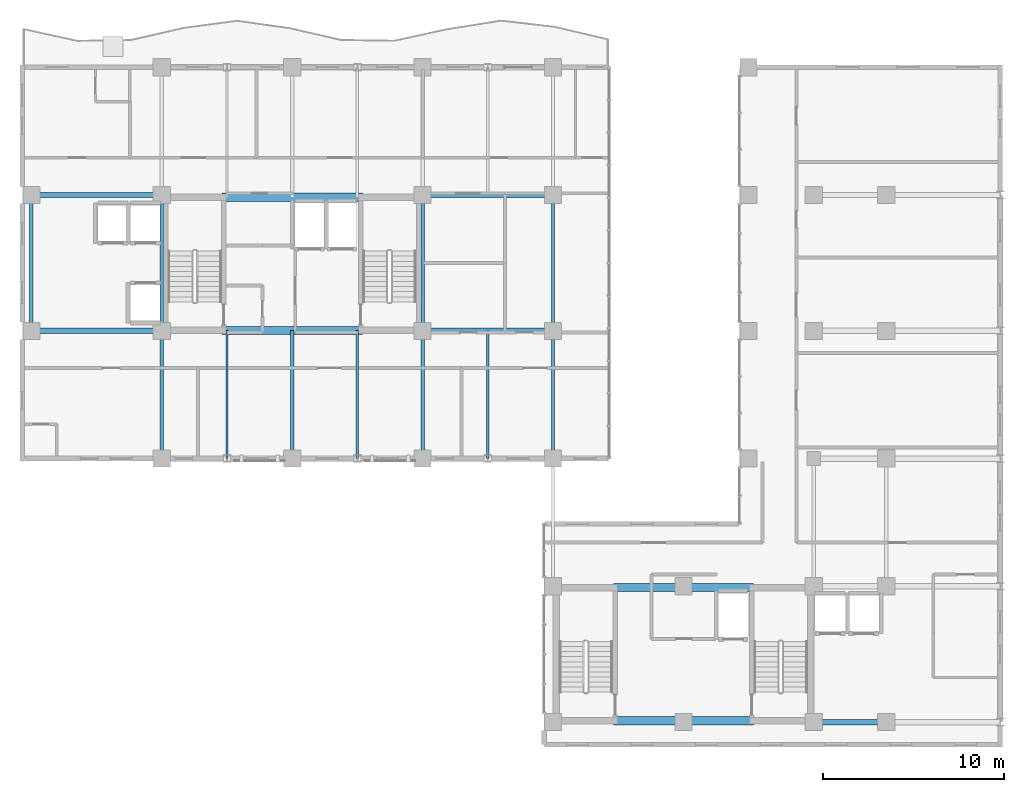
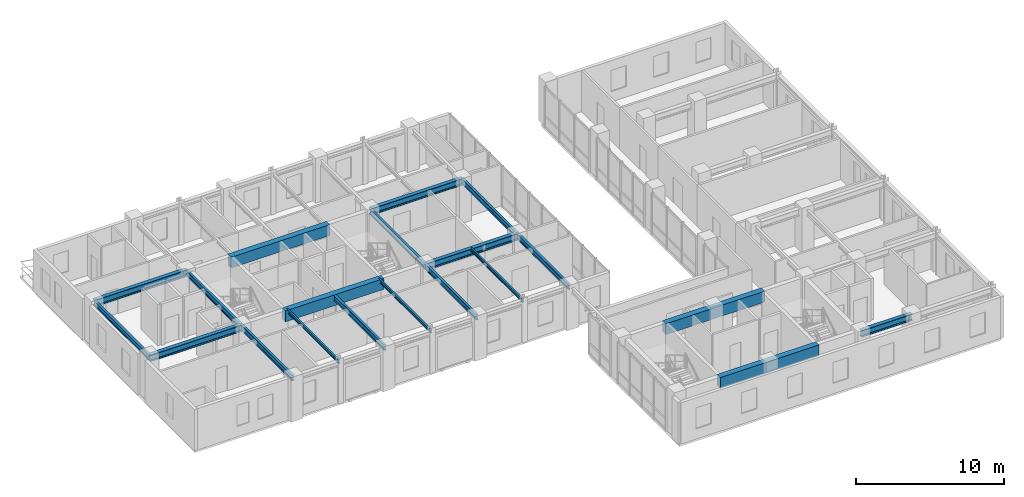
# One storey, part 6 of 24: 20 beams.
"""IFC4 building model written with IfcOpenShell, lengths in metres."""

import ifcopenshell
import ifcopenshell.guid

model = None  # the IFC model being written
_history = None  # IfcOwnerHistory: only IFC2X3 demands one
_inside = {}  # id of a spatial element -> (the spatial element, [elements in it])
_under = {}  # id of a project, library or spatial element -> (it, [spatial elements below it])
_declared = {}  # id of a project -> (the project, [libraries it declares])
_typed = {}  # id of a type object -> (the type object, [elements of that type])
_made_of = {}  # id of a material, layer set ... -> (it, [elements and type objects made of it])


def new_model(schema):
    """Start an empty IFC model of exactly this schema.

    Asked for "IFC4X3", IfcOpenShell would pick the latest addendum, in which some entities
    have other attributes; the version numbers below select the first issue.
    IFC2X3 requires an IfcOwnerHistory on every rooted entity: one is made here for all.
    """
    global model, _history
    if schema == "IFC4X3":
        model = ifcopenshell.file(schema_version=(4, 3, 0, 0))
    else:
        model = ifcopenshell.file(schema=schema)
    _inside.clear()
    _under.clear()
    _declared.clear()
    _typed.clear()
    _made_of.clear()
    _history = None
    if model.schema == "IFC2X3":
        org = make("IfcOrganization", Name="unknown")
        user = make(
            "IfcPersonAndOrganization",
            ThePerson=make("IfcPerson", FamilyName="unknown"),
            TheOrganization=org,
        )
        app = make(
            "IfcApplication",
            ApplicationDeveloper=org,
            Version="unknown",
            ApplicationFullName="unknown",
            ApplicationIdentifier="unknown",
        )
        _history = make(
            "IfcOwnerHistory",
            OwningUser=user,
            OwningApplication=app,
            ChangeAction="ADDED",
            CreationDate=0,
        )
    return model


def make(cls, **values):
    """One entity of the class cls with the attributes given. An attribute that is None is left unset."""
    return model.create_entity(
        cls, **{name: value for name, value in values.items() if value is not None}
    )


def rooted(cls, **values):
    """An entity with a GlobalId (a new one), such as an element, a storey or a relation."""
    return make(cls, GlobalId=ifcopenshell.guid.new(), OwnerHistory=_history, **values)


def si_unit(unit_type, name, prefix=None):
    """IfcSIUnit, for example si_unit("LENGTHUNIT", "METRE", prefix="MILLI")."""
    return make("IfcSIUnit", UnitType=unit_type, Prefix=prefix, Name=name)


def assignment(units):
    """IfcUnitAssignment: the units of a project."""
    return None if units is None else make("IfcUnitAssignment", Units=units)


def point(xyz):
    """IfcCartesianPoint."""
    return None if xyz is None else make("IfcCartesianPoint", Coordinates=xyz)


def direction(xyz):
    """IfcDirection."""
    return None if xyz is None else make("IfcDirection", DirectionRatios=xyz)


def frame(location, z_axis=None, x_axis=None):
    """IfcAxis2Placement3D, a coordinate frame: its origin and axes. An axis left out is left unset."""
    return make(
        "IfcAxis2Placement3D",
        Location=point(location),
        Axis=direction(z_axis),
        RefDirection=direction(x_axis),
    )


def frame_2d(location, x_axis=None):
    """IfcAxis2Placement2D, a coordinate frame in the plane: its origin and x axis."""
    return make(
        "IfcAxis2Placement2D", Location=point(location), RefDirection=direction(x_axis)
    )


def origin():
    """The frame at (0, 0, 0) with its axes left unset."""
    return frame((0.0, 0.0, 0.0))


def origin_2d():
    """The frame at (0, 0) in the plane with its x axis left unset."""
    return frame_2d((0.0, 0.0))


def place(relative_to, where):
    """IfcLocalPlacement: puts the frame where relative to a parent placement (None: the world)."""
    return make(
        "IfcLocalPlacement", PlacementRelTo=relative_to, RelativePlacement=where
    )


def context(
    kind, dimensions, precision=None, world=None, true_north=None, identifier=None
):
    """IfcGeometricRepresentationContext, for example the 3D "Model" context."""
    return make(
        "IfcGeometricRepresentationContext",
        ContextIdentifier=identifier,
        ContextType=kind,
        CoordinateSpaceDimension=dimensions,
        Precision=precision,
        WorldCoordinateSystem=world,
        TrueNorth=true_north,
    )


def subcontext(parent, identifier, kind, view, scale=None):
    """IfcGeometricRepresentationSubContext, for example "Body" below "Model"."""
    return make(
        "IfcGeometricRepresentationSubContext",
        ContextIdentifier=identifier,
        ContextType=kind,
        ParentContext=parent,
        TargetScale=scale,
        TargetView=view,
    )


def project(units=None, contexts=None):
    """IfcProject with its units and contexts."""
    return rooted(
        "IfcProject",
        Name="project",
        RepresentationContexts=contexts,
        UnitsInContext=assignment(units),
    )


def spatial(cls, under=None, at=None, **own):
    """A site, building, storey or space (cls), placed at a placement, below another one or the project."""
    s = rooted(cls, ObjectPlacement=at, **own)
    if under is not None:
        _under.setdefault(under.id(), (under, []))[1].append(s)
    return s


def profile(cls, at=None, kind="AREA", **sizes):
    """A parametric profile (cls). Its sizes go by their IFC names, for example OverallWidth=200.0."""
    return make(cls, ProfileType=kind, Position=at, **sizes)


def rectangle(**sizes):
    """IfcRectangleProfileDef."""
    return profile("IfcRectangleProfileDef", **sizes)


def i_section(**sizes):
    """IfcIShapeProfileDef."""
    return profile("IfcIShapeProfileDef", **sizes)


def extrude(swept, where, along, depth):
    """IfcExtrudedAreaSolid: the profile swept, set in the frame where, extruded along a direction by depth."""
    return make(
        "IfcExtrudedAreaSolid",
        SweptArea=swept,
        Position=where,
        ExtrudedDirection=direction(along),
        Depth=depth,
    )


def shape(context_of_items, identifier, shape_type, items):
    """IfcShapeRepresentation: the items that make up one representation, for example the "Body"."""
    return make(
        "IfcShapeRepresentation",
        ContextOfItems=context_of_items,
        RepresentationIdentifier=identifier,
        RepresentationType=shape_type,
        Items=items,
    )


def source(mapping_origin, context_of_items, identifier, shape_type, items):
    """IfcRepresentationMap: a shape defined once, which mapped items show again and again."""
    return make(
        "IfcRepresentationMap",
        MappingOrigin=mapping_origin,
        MappedRepresentation=shape(context_of_items, identifier, shape_type, items),
    )


def transform(
    local_origin,
    x_axis=None,
    y_axis=None,
    z_axis=None,
    scale=None,
    scale2=None,
    scale3=None,
    uniform=True,
):
    """IfcCartesianTransformationOperator3D, or its non-uniform kind. x_axis, y_axis, z_axis: its Axis1, 2, 3."""
    if uniform:
        return make(
            "IfcCartesianTransformationOperator3D",
            Axis1=direction(x_axis),
            Axis2=direction(y_axis),
            LocalOrigin=point(local_origin),
            Scale=scale,
            Axis3=direction(z_axis),
        )
    return make(
        "IfcCartesianTransformationOperator3DnonUniform",
        Axis1=direction(x_axis),
        Axis2=direction(y_axis),
        LocalOrigin=point(local_origin),
        Scale=scale,
        Axis3=direction(z_axis),
        Scale2=scale2,
        Scale3=scale3,
    )


def mapped(mapping_source, mapping_target):
    """IfcMappedItem: shows the shape of a source again, moved by a transform."""
    return make(
        "IfcMappedItem", MappingSource=mapping_source, MappingTarget=mapping_target
    )


def material(Name=None, Category=None):
    """IfcMaterial."""
    return make("IfcMaterial", Name=Name, Category=Category)


def material_profile(
    of_material, cross_section, Name=None, Category=None, Priority=None
):
    """IfcMaterialProfile: a cross section and its material."""
    return make(
        "IfcMaterialProfile",
        Name=Name,
        Material=of_material,
        Profile=cross_section,
        Priority=Priority,
        Category=Category,
    )


def profile_set(profiles, Name=None, composite=None):
    """IfcMaterialProfileSet."""
    return make(
        "IfcMaterialProfileSet",
        Name=Name,
        MaterialProfiles=profiles,
        CompositeProfile=composite,
    )


def made_of(thing, what):
    """Note that an element or type object is made of a material, layer set ...; save() writes the relation."""
    if what is not None:
        _made_of.setdefault(what.id(), (what, []))[1].append(thing)
    return thing


def type_object(cls, material=None, **own):
    """A type object (cls), such as IfcWallType, which elements share."""
    return made_of(rooted(cls, **own), material)


def element(
    cls,
    number,
    at=None,
    inside=None,
    cuts=None,
    type_object=None,
    material=None,
    context=None,
    identifier="Body",
    shape_type=None,
    held_by="IfcProductDefinitionShape",
    body=None,
    shapes=None,
    **own,
):
    """One element of the class cls, such as IfcWall. Its Tag is "e" and its number.

    at: its placement. inside: the storey or other place that contains it. cuts: it is an
    opening in that element (IfcRelVoidsElement). A single representation is given by context,
    identifier, shape_type and body (its items); several are given by shapes. held_by: the class
    of the entity that holds the representations. save() writes the other relations.
    """
    e = rooted(cls, Tag="e%d" % number, ObjectPlacement=at, **own)
    if body is not None:
        shapes = [shape(context, identifier, shape_type, body)]
    if shapes is not None:
        e.Representation = make(held_by, Representations=shapes)
    if inside is not None:
        _inside.setdefault(inside.id(), (inside, []))[1].append(e)
    if cuts is not None:
        rooted(
            "IfcRelVoidsElement", RelatingBuildingElement=cuts, RelatedOpeningElement=e
        )
    if type_object is not None:
        _typed.setdefault(type_object.id(), (type_object, []))[1].append(e)
    return made_of(e, material)


def aggregate(whole, parts):
    """IfcRelAggregates: a whole, such as a stair, and the parts it consists of."""
    return rooted("IfcRelAggregates", RelatingObject=whole, RelatedObjects=parts)


def save(model, path):
    """Write the relations noted so far, then the file.

    IfcRelAggregates (storeys below a building ...), IfcRelContainedInSpatialStructure (elements
    in a storey), IfcRelDefinesByType, IfcRelAssociatesMaterial and IfcRelDeclares: one each for
    every whole, place, type object, material and project.
    """
    for whole, parts in _under.values():
        aggregate(whole, parts)
    for where, things in _inside.values():
        rooted(
            "IfcRelContainedInSpatialStructure",
            RelatedElements=things,
            RelatingStructure=where,
        )
    for kind, things in _typed.values():
        rooted("IfcRelDefinesByType", RelatedObjects=things, RelatingType=kind)
    for what, things in _made_of.values():
        rooted("IfcRelAssociatesMaterial", RelatedObjects=things, RelatingMaterial=what)
    for by, libraries in _declared.values():
        rooted("IfcRelDeclares", RelatingContext=by, RelatedDefinitions=libraries)
    model.write(path)


model = new_model("IFC4")

# Units and contexts
model_context = context("Model", 3, precision=1e-05, world=origin(), true_north=direction((0.0, 1.0)))
body_context = subcontext(model_context, "Body", "Model", "MODEL_VIEW")
ifc_project = project(units=[si_unit("LENGTHUNIT", "METRE"), si_unit("AREAUNIT", "SQUARE_METRE"), si_unit("VOLUMEUNIT", "CUBIC_METRE"), si_unit("PLANEANGLEUNIT", "RADIAN"), si_unit("MASSUNIT", "GRAM", prefix="KILO")], contexts=[model_context])

# Site, building, storey
site_placement = place(None, origin())
site = spatial("IfcSite", under=ifc_project, at=site_placement, CompositionType="ELEMENT")
building_placement = place(site_placement, origin())
building = spatial("IfcBuilding", under=site, at=building_placement, Name="Kaliganga Portal Commons", CompositionType="ELEMENT")
storey_placement = place(building_placement, frame((0.0, 0.0, 235.10009765625)))
storey = spatial("IfcBuildingStorey", under=building, at=storey_placement, Name="L60", CompositionType="ELEMENT", Elevation=235.10009765625)

# Beams
ifc_material_1 = material(Name="Concrete C50/60", Category="concrete")
ifc_material_profile_1 = material_profile(ifc_material_1, rectangle(XDim=0.449951171875, YDim=0.89990234375, at=origin_2d()), Name="RC 450x900")
ifc_profile_set_1 = profile_set([ifc_material_profile_1], Name="Concrete C50/60")
beam_type_1 = type_object("IfcBeamType", Name="BM-CPL-900", PredefinedType="LINTEL", material=ifc_profile_set_1)
shared_shape_1 = source(origin(), body_context, "Body", "SweptSolid", [
    extrude(rectangle(XDim=0.449951171875, YDim=0.89990234375, at=origin_2d()), origin(), (0.0, 0.0, 1.0), 7.739990234375),
])
for number, where, z_axis, x_axis, name in (
    (1, (17.72998046875, 28.675048828125, 2.989990234375), (1.0, 0.0, 0.0), (0.0, 1.0, 0.0), "BM CPL COREA L60 S"),
    (2, (17.72998046875, 36.02490234375, 2.989990234375), (1.0, 0.0, 0.0), (0.0, 1.0, 0.0), "BM CPL COREA L60 N"),
    (3, (39.330078125, 7.125, 2.989990234375), (1.0, 0.0, 0.0), (0.0, 1.0, 0.0), "BM CPL COREB L60 S"),
    (4, (39.330078125, 14.47509765625, 2.989990234375), (1.0, 0.0, 0.0), (0.0, 1.0, 0.0), "BM CPL COREB L60 N"),
):
    element("IfcBeam", number, at=place(storey_placement, frame(where, z_axis=z_axis, x_axis=x_axis)), inside=storey, type_object=beam_type_1, Name=name, PredefinedType="LINTEL", context=body_context, shape_type="MappedRepresentation", body=[
        mapped(shared_shape_1, transform((0.0, 0.0, 0.0), x_axis=(1.0, 0.0, 0.0), y_axis=(0.0, 1.0, 0.0), z_axis=(0.0, 0.0, 1.0), scale=1.0)),
    ])
ifc_material_2 = material(Name="Structural steel S355J2", Category="steel")
ifc_material_profile_2 = material_profile(ifc_material_2, i_section(OverallWidth=0.18994140625, OverallDepth=0.449951171875, WebThickness=0.009521484375, FlangeThickness=0.0146484375, FilletRadius=0.02099609375, at=origin_2d()), Name="IPE 450")
ifc_profile_set_2 = profile_set([ifc_material_profile_2], Name="Structural steel S355J2 wide-flange")
beam_type_2 = type_object("IfcBeamType", Name="BM-FLR-450", PredefinedType="BEAM", material=ifc_profile_set_2)
shared_shape_2 = source(origin(), body_context, "Body", "SweptSolid", [
    extrude(i_section(OverallWidth=0.18994140625, OverallDepth=0.449951171875, WebThickness=0.009521484375, FlangeThickness=0.0146484375, FilletRadius=0.02099609375, at=origin_2d()), origin(), (0.0, 0.0, 1.0), 7.5),
])
for number, where, z_axis, x_axis, name in (
    (5, (7.199951171875, 28.64990234375, 3.21484375), (0.0, 1.0, 0.0), (-1.0, 0.0, 0.0), "BM G L60 AW72"),
    (6, (14.39990234375, 28.64990234375, 3.21484375), (0.0, 1.0, 0.0), (-1.0, 0.0, 0.0), "BM G L60 AM144"),
    (7, (28.800048828125, 28.64990234375, 3.21484375), (0.0, 1.0, 0.0), (-1.0, 0.0, 0.0), "BM G L60 AM288"),
    (8, (36.0, 28.64990234375, 3.21484375), (0.0, 1.0, 0.0), (-1.0, 0.0, 0.0), "BM G L60 AM360"),
):
    element("IfcBeam", number, at=place(storey_placement, frame(where, z_axis=z_axis, x_axis=x_axis)), inside=storey, type_object=beam_type_2, Name=name, PredefinedType="BEAM", context=body_context, shape_type="MappedRepresentation", body=[
        mapped(shared_shape_2, transform((0.0, 0.0, 0.0), x_axis=(1.0, 0.0, 0.0), y_axis=(0.0, 1.0, 0.0), z_axis=(0.0, 0.0, 1.0), scale=1.0)),
    ])
shared_shape_3 = source(origin(), body_context, "Body", "SweptSolid", [
    extrude(i_section(OverallWidth=0.18994140625, OverallDepth=0.449951171875, WebThickness=0.009521484375, FlangeThickness=0.0146484375, FilletRadius=0.02099609375, at=origin_2d()), origin(), (0.0, 0.0, 1.0), 7.0498046875),
])
for number, where, z_axis, x_axis, name in (
    (9, (14.39990234375, 21.60009765625, 3.21484375), (0.0, 1.0, 0.0), (-1.0, 0.0, 0.0), "BM G L60 AS144"),
    (10, (28.800048828125, 21.60009765625, 3.21484375), (0.0, 1.0, 0.0), (-1.0, 0.0, 0.0), "BM G L60 AS288"),
    (11, (36.0, 21.60009765625, 3.21484375), (0.0, 1.0, 0.0), (-1.0, 0.0, 0.0), "BM G L60 AS360"),
):
    element("IfcBeam", number, at=place(storey_placement, frame(where, z_axis=z_axis, x_axis=x_axis)), inside=storey, type_object=beam_type_2, Name=name, PredefinedType="BEAM", context=body_context, shape_type="MappedRepresentation", body=[
        mapped(shared_shape_3, transform((0.0, 0.0, 0.0), x_axis=(1.0, 0.0, 0.0), y_axis=(0.0, 1.0, 0.0), z_axis=(0.0, 0.0, 1.0), scale=1.0)),
    ])
ifc_material_profile_3 = material_profile(ifc_material_2, i_section(OverallWidth=0.300048828125, OverallDepth=0.550048828125, WebThickness=0.014892578125, FlangeThickness=0.029052734375, FilletRadius=0.027099609375, at=origin_2d()), Name="HE 550 B")
ifc_profile_set_3 = profile_set([ifc_material_profile_3], Name="Structural steel S355J2 wide-flange")
beam_type_3 = type_object("IfcBeamType", Name="BM-GIRD-550", PredefinedType="USERDEFINED", material=ifc_profile_set_3)
shared_shape_4 = source(origin(), body_context, "Body", "SweptSolid", [
    extrude(i_section(OverallWidth=0.300048828125, OverallDepth=0.550048828125, WebThickness=0.014892578125, FlangeThickness=0.029052734375, FilletRadius=0.027099609375, at=origin_2d()), origin(), (0.0, 0.0, 1.0), 7.199951171875),
])
for number, where, z_axis, x_axis, name in (
    (12, (7.199951171875, 28.64990234375, 3.164794921875), (1.0, 0.0, 0.0), (0.0, 1.0, 0.0), "BM G L60 WAH_S 1"),
    (13, (7.199951171875, 36.14990234375, 3.164794921875), (1.0, 0.0, 0.0), (0.0, 1.0, 0.0), "BM G L60 WAH_N 1"),
    (14, (28.800048828125, 28.64990234375, 3.164794921875), (1.0, 0.0, 0.0), (0.0, 1.0, 0.0), "BM G L60 WAE_S 1"),
    (15, (28.800048828125, 36.14990234375, 3.164794921875), (1.0, 0.0, 0.0), (0.0, 1.0, 0.0), "BM G L60 WAE_N 1"),
):
    element("IfcBeam", number, at=place(storey_placement, frame(where, z_axis=z_axis, x_axis=x_axis)), inside=storey, type_object=beam_type_3, Name=name, ObjectType="GIRDER", PredefinedType="USERDEFINED", context=body_context, shape_type="MappedRepresentation", body=[
        mapped(shared_shape_4, transform((0.0, 0.0, 0.0), x_axis=(1.0, 0.0, 0.0), y_axis=(0.0, 1.0, 0.0), z_axis=(0.0, 0.0, 1.0), scale=1.0)),
    ])
shared_shape_5 = source(origin(), body_context, "Body", "SweptSolid", [
    extrude(i_section(OverallWidth=0.18994140625, OverallDepth=0.449951171875, WebThickness=0.009521484375, FlangeThickness=0.0146484375, FilletRadius=0.02099609375, at=origin_2d()), origin(), (0.0, 0.0, 1.0), 7.074951171875),
])
beam_1_placement = place(storey_placement, frame((21.60009765625, 21.60009765625, 3.21484375), z_axis=(0.0, 1.0, 0.0), x_axis=(-1.0, 0.0, 0.0)))
element("IfcBeam", 16, at=beam_1_placement, inside=storey, type_object=beam_type_2, Name="BM G L60 AS216", PredefinedType="BEAM", context=body_context, shape_type="MappedRepresentation", body=[
    mapped(shared_shape_5, transform((0.0, 0.0, 0.0), x_axis=(1.0, 0.0, 0.0), y_axis=(0.0, 1.0, 0.0), z_axis=(0.0, 0.0, 1.0), scale=1.0)),
])
shared_shape_6 = source(origin(), body_context, "Body", "SweptSolid", [
    extrude(i_section(OverallWidth=0.300048828125, OverallDepth=0.550048828125, WebThickness=0.014892578125, FlangeThickness=0.029052734375, FilletRadius=0.027099609375, at=origin_2d()), origin(), (0.0, 0.0, 1.0), 4.0),
])
beam_2_placement = place(storey_placement, frame((50.39990234375, 7.050048828125, 3.164794921875), z_axis=(1.0, 0.0, 0.0), x_axis=(0.0, 1.0, 0.0)))
element("IfcBeam", 17, at=beam_2_placement, inside=storey, type_object=beam_type_3, Name="BM G L60 BKE70 1", ObjectType="GIRDER", PredefinedType="USERDEFINED", context=body_context, shape_type="MappedRepresentation", body=[
    mapped(shared_shape_6, transform((0.0, 0.0, 0.0), x_axis=(1.0, 0.0, 0.0), y_axis=(0.0, 1.0, 0.0), z_axis=(0.0, 0.0, 1.0), scale=1.0)),
])
ifc_material_profile_4 = material_profile(ifc_material_2, i_section(OverallWidth=0.135009765625, OverallDepth=0.27001953125, WebThickness=0.006591796875, FlangeThickness=0.01025390625, FilletRadius=0.014892578125, at=origin_2d()), Name="IPE 270")
ifc_profile_set_4 = profile_set([ifc_material_profile_4], Name="Structural steel S355J2 wide-flange")
beam_type_4 = type_object("IfcBeamType", Name="BM-JST-270", PredefinedType="JOIST", material=ifc_profile_set_4)
shared_shape_7 = source(origin(), body_context, "Body", "SweptSolid", [
    extrude(i_section(OverallWidth=0.135009765625, OverallDepth=0.27001953125, WebThickness=0.006591796875, FlangeThickness=0.01025390625, FilletRadius=0.014892578125, at=origin_2d()), origin(), (0.0, 0.0, 1.0), 7.074951171875),
])
for number, where, z_axis, x_axis, name in (
    (18, (18.0, 21.60009765625, 3.304931640625), (0.0, 1.0, 0.0), (-1.0, 0.0, 0.0), "BM G L60 AS180"),
    (19, (25.199951171875, 21.60009765625, 3.304931640625), (0.0, 1.0, 0.0), (-1.0, 0.0, 0.0), "BM G L60 AS252"),
):
    element("IfcBeam", number, at=place(storey_placement, frame(where, z_axis=z_axis, x_axis=x_axis)), inside=storey, type_object=beam_type_4, Name=name, PredefinedType="JOIST", context=body_context, shape_type="MappedRepresentation", body=[
        mapped(shared_shape_7, transform((0.0, 0.0, 0.0), x_axis=(1.0, 0.0, 0.0), y_axis=(0.0, 1.0, 0.0), z_axis=(0.0, 0.0, 1.0), scale=1.0)),
    ])
shared_shape_8 = source(origin(), body_context, "Body", "SweptSolid", [
    extrude(i_section(OverallWidth=0.135009765625, OverallDepth=0.27001953125, WebThickness=0.006591796875, FlangeThickness=0.01025390625, FilletRadius=0.014892578125, at=origin_2d()), origin(), (0.0, 0.0, 1.0), 7.0498046875),
])
beam_3_placement = place(storey_placement, frame((32.39990234375, 21.60009765625, 3.304931640625), z_axis=(0.0, 1.0, 0.0), x_axis=(-1.0, 0.0, 0.0)))
element("IfcBeam", 20, at=beam_3_placement, inside=storey, type_object=beam_type_4, Name="BM G L60 AS324", PredefinedType="JOIST", context=body_context, shape_type="MappedRepresentation", body=[
    mapped(shared_shape_8, transform((0.0, 0.0, 0.0), x_axis=(1.0, 0.0, 0.0), y_axis=(0.0, 1.0, 0.0), z_axis=(0.0, 0.0, 1.0), scale=1.0)),
])

save(model, "model.ifc")
